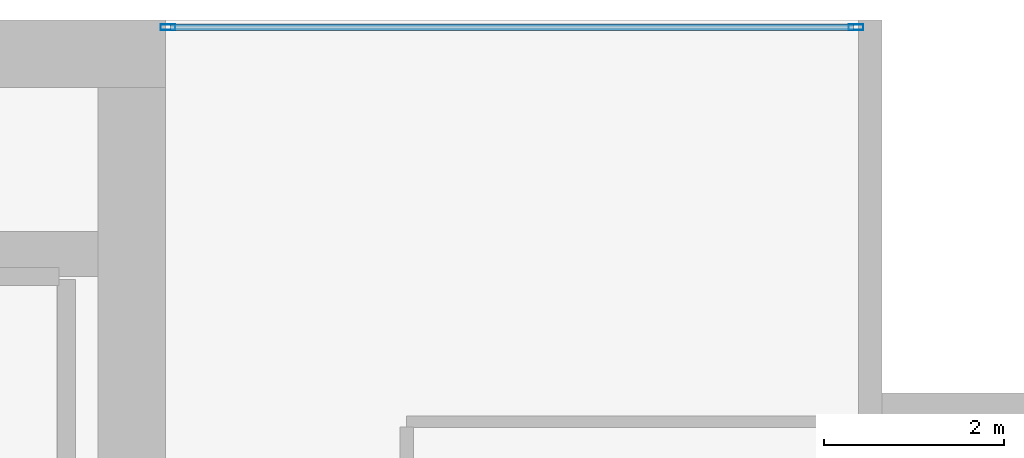
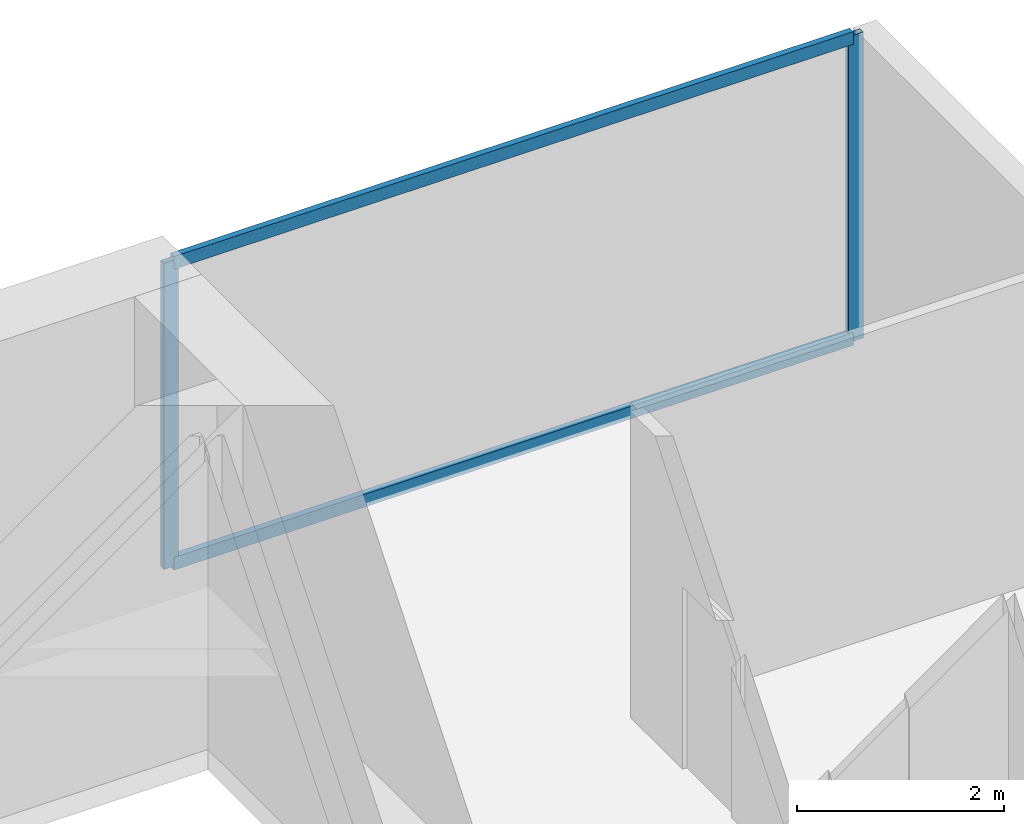
# One storey, part 25 of 34: 4 members, 1 element without a shape of its own.
"""IFC4 building model written with IfcOpenShell, lengths in metres."""

from ifc_helpers import new_model, si_unit, direction, frame, origin, origin_2d, place, context, subcontext, project, spatial, hollow_rectangle, extrude, material, layer, layer_set, material_profile, profile_set, type_object, element, aggregate, save


model = new_model("IFC4")

# Units and contexts
model_context = context("Model", 3, precision=1e-05, world=origin(), true_north=direction((0.0, 1.0)))
body_context = subcontext(model_context, "Body", "Model", "MODEL_VIEW")
ifc_project = project(units=[si_unit("LENGTHUNIT", "METRE"), si_unit("AREAUNIT", "SQUARE_METRE"), si_unit("VOLUMEUNIT", "CUBIC_METRE"), si_unit("PLANEANGLEUNIT", "RADIAN"), si_unit("MASSUNIT", "GRAM", prefix="KILO")], contexts=[model_context])

# Site, building, storey
site_placement = place(None, origin())
site = spatial("IfcSite", under=ifc_project, at=site_placement, CompositionType="ELEMENT")
building_placement = place(site_placement, origin())
building = spatial("IfcBuilding", under=site, at=building_placement, Name="Maruvema Waterfront Hotel and Observation Tower", CompositionType="ELEMENT")
storey_placement = place(building_placement, frame((0.0, 0.0, 212.10009765625)))
storey = spatial("IfcBuildingStorey", under=building, at=storey_placement, Name="L52", CompositionType="ELEMENT", Elevation=212.10009765625)

# Curtain wall, members
ifc_material_1 = material(Name="Anodised bronze aluminium and solar-control low-E IGU", Category="aluminium")
ifc_layer = layer(ifc_material_1, 0.159912109375, Name="Zone 2 Amber Inner Thermal Curtain Wall System CW-03")
ifc_layer_set = layer_set([ifc_layer], Name="Anodised bronze aluminium and solar-control low-E IGU")
curtain_wall_type = type_object("IfcCurtainWallType", Name="Zone 2 Amber Inner Thermal Curtain Wall System CW-03", PredefinedType="USERDEFINED", material=ifc_layer_set)
curtain_wall_placement = place(storey_placement, origin())
curtain_wall = element("IfcCurtainWall", 1, at=curtain_wall_placement, inside=storey, type_object=curtain_wall_type, Name="L52 Curtain Wall CW-L52-NE", ObjectType="UNITISED CURTAIN WALL", PredefinedType="USERDEFINED")
ifc_material_2 = material(Name="Anodised architectural bronze aluminium", Category="aluminium")
ifc_material_profile_1 = material_profile(ifc_material_2, hollow_rectangle(XDim=0.070068359375, YDim=0.14990234375, WallThickness=0.00390625, at=origin_2d()), Name="ALU-T70x150")
ifc_profile_set_1 = profile_set([ifc_material_profile_1], Name="Anodised architectural bronze aluminium")
member_type_1 = type_object("IfcMemberType", Name="Curtain Wall Horizontal Transom ALU-T70x150", PredefinedType="USERDEFINED", material=ifc_profile_set_1)
member_1_placement = place(storey_placement, frame((58.0400390625, 53.919921875, 0.02978515625), z_axis=(-1.0, 0.0, 0.0), x_axis=(0.0, -1.0, 0.0)))
member_1 = element("IfcMember", 2, at=member_1_placement, type_object=member_type_1, Name="CW-03 transom 1.1", ObjectType="TRANSOM", PredefinedType="USERDEFINED", context=body_context, shape_type="SweptSolid", body=[
    extrude(hollow_rectangle(XDim=0.070068359375, YDim=0.14990234375, WallThickness=0.00390625, at=origin_2d()), origin(), (0.0, 0.0, 1.0), 7.580078125),
])
member_2_placement = place(storey_placement, frame((58.0400390625, 53.919921875, 3.579833984375), z_axis=(-1.0, 0.0, 0.0), x_axis=(0.0, -1.0, 0.0)))
member_2 = element("IfcMember", 3, at=member_2_placement, type_object=member_type_1, Name="CW-03 transom 1.2", ObjectType="TRANSOM", PredefinedType="USERDEFINED", context=body_context, shape_type="SweptSolid", body=[
    extrude(hollow_rectangle(XDim=0.070068359375, YDim=0.14990234375, WallThickness=0.00390625, at=origin_2d()), origin(), (0.0, 0.0, 1.0), 7.580078125),
])
ifc_material_3 = material(Name="Anodised architectural bronze aluminium", Category="aluminium")
ifc_material_profile_2 = material_profile(ifc_material_3, hollow_rectangle(XDim=0.06494140625, YDim=0.1650390625, WallThickness=0.00390625, at=origin_2d()), Name="ALU-M65x165")
ifc_profile_set_2 = profile_set([ifc_material_profile_2], Name="Anodised architectural bronze aluminium")
member_type_2 = type_object("IfcMemberType", Name="Curtain Wall Primary Mullion ALU-M65x165", PredefinedType="MULLION", material=ifc_profile_set_2)
member_3_placement = place(storey_placement, frame((58.070068359375, 53.919921875, 0.0), z_axis=(0.0, 0.0, 1.0), x_axis=(0.0, -1.0, 0.0)))
member_3 = element("IfcMember", 4, at=member_3_placement, type_object=member_type_2, Name="CW-03 mullion 1", PredefinedType="MULLION", context=body_context, shape_type="SweptSolid", body=[
    extrude(hollow_rectangle(XDim=0.06494140625, YDim=0.1650390625, WallThickness=0.00390625, at=origin_2d()), origin(), (0.0, 0.0, 1.0), 3.60986328125),
])
member_4_placement = place(storey_placement, frame((50.429931640625, 53.919921875, 0.0), z_axis=(0.0, 0.0, 1.0), x_axis=(0.0, -1.0, 0.0)))
member_4 = element("IfcMember", 5, at=member_4_placement, type_object=member_type_2, Name="CW-03 mullion 2", PredefinedType="MULLION", context=body_context, shape_type="SweptSolid", body=[
    extrude(hollow_rectangle(XDim=0.06494140625, YDim=0.1650390625, WallThickness=0.00390625, at=origin_2d()), origin(), (0.0, 0.0, 1.0), 3.60986328125),
])
aggregate(curtain_wall, [member_3, member_4, member_1, member_2])

save(model, "model.ifc")
